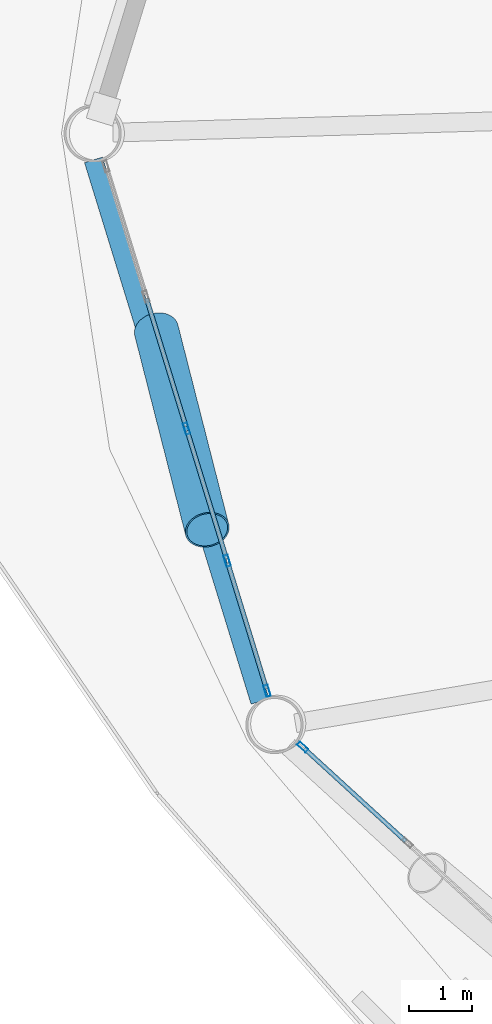
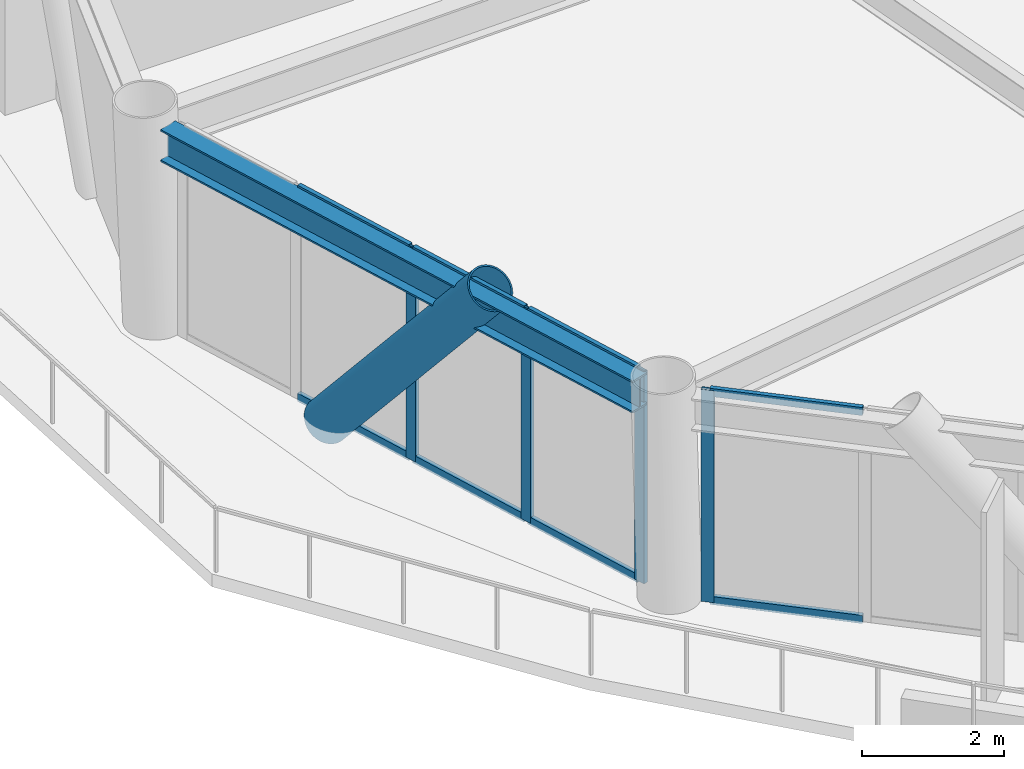
# One storey, part 5 of 24: 13 members, 1 beam, 2 elements without a shape of their own.
"""IFC4 building model written with IfcOpenShell, lengths in metres."""

from ifc_helpers import new_model, si_unit, direction, frame, origin, origin_2d, place, context, subcontext, project, spatial, hollow_rectangle, hollow_circle, i_section, extrude, material, layer, layer_set, material_profile, profile_set, type_object, element, aggregate, save


model = new_model("IFC4")

# Units and contexts
model_context = context("Model", 3, precision=1e-05, world=origin(), true_north=direction((0.0, 1.0)))
body_context = subcontext(model_context, "Body", "Model", "MODEL_VIEW")
ifc_project = project(units=[si_unit("LENGTHUNIT", "METRE"), si_unit("AREAUNIT", "SQUARE_METRE"), si_unit("VOLUMEUNIT", "CUBIC_METRE"), si_unit("PLANEANGLEUNIT", "RADIAN"), si_unit("MASSUNIT", "GRAM", prefix="KILO")], contexts=[model_context])

# Site, building, storey
site_placement = place(None, origin())
site = spatial("IfcSite", under=ifc_project, at=site_placement, CompositionType="ELEMENT")
building_placement = place(site_placement, origin())
building = spatial("IfcBuilding", under=site, at=building_placement, Name="Varnakorn Sky Granary", CompositionType="ELEMENT")
storey_placement = place(building_placement, frame((0.0, 0.0, 43.199951171875)))
storey = spatial("IfcBuildingStorey", under=building, at=storey_placement, Name="L10", CompositionType="ELEMENT", Elevation=43.199951171875)

# Beam
ifc_material_1 = material(Name="Steel S355JR", Category="steel")
ifc_material_profile_1 = material_profile(ifc_material_1, i_section(OverallWidth=0.300048828125, OverallDepth=0.550048828125, WebThickness=0.014892578125, FlangeThickness=0.029052734375, at=origin_2d()), Name="HE 550 B")
ifc_profile_set_1 = profile_set([ifc_material_profile_1], Name="Steel S355JR")
beam_type = type_object("IfcBeamType", Name="BM-SPD-Z1", PredefinedType="SPANDREL", material=ifc_profile_set_1)
beam_placement = place(storey_placement, frame((-22.320068359375, -0.422607421875, 3.364990234375), z_axis=(0.293932510613, -0.95582617625, 0.0), x_axis=(0.95582617625, 0.293932510613, 0.0)))
element("IfcBeam", 1, at=beam_placement, inside=storey, type_object=beam_type, Name="Perimeter Spandrel Ring Beam RB07 L10", PredefinedType="SPANDREL", context=body_context, shape_type="SweptSolid", body=[
    extrude(i_section(OverallWidth=0.300048828125, OverallDepth=0.550048828125, WebThickness=0.014892578125, FlangeThickness=0.029052734375, at=origin_2d()), origin(), (0.0, 0.0, 1.0), 9.062744140625),
])

# Curtain wall, members
ifc_material_2 = material(Name="Anodised Bronze Aluminium Alloy 6063-T6", Category="aluminium")
ifc_layer = layer(ifc_material_2, 0.18994140625, Name="Anodised Bronze Aluminium Alloy 6063-T6")
ifc_layer_set = layer_set([ifc_layer], Name="Anodised Bronze Aluminium Alloy 6063-T6")
curtain_wall_type = type_object("IfcCurtainWallType", Name="CW-FRM-1", PredefinedType="USERDEFINED", material=ifc_layer_set)
curtain_wall_1_placement = place(storey_placement, origin())
curtain_wall_1 = element("IfcCurtainWall", 2, at=curtain_wall_1_placement, inside=storey, type_object=curtain_wall_type, Name="Unitised Curtain Wall CW3 CW-L10-B07", ObjectType="CURTAIN WALL", PredefinedType="USERDEFINED")
ifc_material_profile_2 = material_profile(ifc_material_2, hollow_rectangle(XDim=0.070068359375, YDim=0.18505859375, WallThickness=0.00390625, at=origin_2d()), Name="ALU MULL 70x185")
ifc_profile_set_2 = profile_set([ifc_material_profile_2], Name="Anodised Bronze Aluminium Alloy 6063-T6")
member_type_1 = type_object("IfcMemberType", Name="CW-FRM-1-MULL", PredefinedType="MULLION", material=ifc_profile_set_2)
member_1_placement = place(storey_placement, frame((-19.54296875, -8.914306640625, 0.0), z_axis=(0.0, 0.0, 1.0), x_axis=(-0.955890425836, -0.293723498881, 0.0)))
member_1 = element("IfcMember", 3, at=member_1_placement, type_object=member_type_1, Name="CW3 mullion 1", PredefinedType="MULLION", context=body_context, shape_type="SweptSolid", body=[
    extrude(hollow_rectangle(XDim=0.070068359375, YDim=0.18505859375, WallThickness=0.00390625, at=origin_2d()), origin(), (0.0, 0.0, 1.0), 3.64013671875),
])
member_2_placement = place(storey_placement, frame((-20.181884765625, -6.83447265625, 0.0), z_axis=(0.0, 0.0, 1.0), x_axis=(-0.955890425836, -0.293723498881, 0.0)))
member_2 = element("IfcMember", 4, at=member_2_placement, type_object=member_type_1, Name="CW3 mullion 2", PredefinedType="MULLION", context=body_context, shape_type="SweptSolid", body=[
    extrude(hollow_rectangle(XDim=0.070068359375, YDim=0.18505859375, WallThickness=0.00390625, at=origin_2d()), origin(), (0.0, 0.0, 1.0), 3.64013671875),
])
member_3_placement = place(storey_placement, frame((-20.831298828125, -4.720947265625, 0.0), z_axis=(0.0, 0.0, 1.0), x_axis=(-0.955890425836, -0.293723498881, 0.0)))
member_3 = element("IfcMember", 5, at=member_3_placement, type_object=member_type_1, Name="CW3 mullion 3", PredefinedType="MULLION", context=body_context, shape_type="SweptSolid", body=[
    extrude(hollow_rectangle(XDim=0.070068359375, YDim=0.18505859375, WallThickness=0.00390625, at=origin_2d()), origin(), (0.0, 0.0, 1.0), 3.64013671875),
])

# Curtain wall, member
curtain_wall_2_placement = place(storey_placement, origin())
curtain_wall_2 = element("IfcCurtainWall", 6, at=curtain_wall_2_placement, inside=storey, type_object=curtain_wall_type, Name="Unitised Curtain Wall CW3 CW-L10-B08", ObjectType="CURTAIN WALL", PredefinedType="USERDEFINED")
member_4_placement = place(storey_placement, frame((-18.973388671875, -9.814453125, 0.0), z_axis=(0.0, 0.0, 1.0), x_axis=(-0.674903389306, -0.737906101821, 0.0)))
member_4 = element("IfcMember", 7, at=member_4_placement, type_object=member_type_1, Name="CW3 mullion 5", PredefinedType="MULLION", context=body_context, shape_type="SweptSolid", body=[
    extrude(hollow_rectangle(XDim=0.070068359375, YDim=0.18505859375, WallThickness=0.00390625, at=origin_2d()), origin(), (0.0, 0.0, 1.0), 3.64013671875),
])

# Member
ifc_material_profile_3 = material_profile(ifc_material_2, hollow_rectangle(XDim=0.070068359375, YDim=0.139892578125, WallThickness=0.00341796875, at=origin_2d()), Name="ALU TRAN 70x140")
ifc_profile_set_3 = profile_set([ifc_material_profile_3], Name="Anodised Bronze Aluminium Alloy 6063-T6")
member_type_2 = type_object("IfcMemberType", Name="CW-FRM-1-TRAN", PredefinedType="USERDEFINED", material=ifc_profile_set_3)
member_5_placement = place(storey_placement, frame((-19.55322265625, -8.880859375, 0.03515625), z_axis=(-0.293670325214, 0.955906763282, 0.0), x_axis=(-0.955906763282, -0.293670325214, 0.0)))
member_5 = element("IfcMember", 8, at=member_5_placement, type_object=member_type_2, Name="CW3 transom 1.1", ObjectType="TRANSOM", PredefinedType="USERDEFINED", context=body_context, shape_type="SweptSolid", body=[
    extrude(hollow_rectangle(XDim=0.070068359375, YDim=0.139892578125, WallThickness=0.00341796875, at=origin_2d()), origin(), (0.0, 0.0, 1.0), 2.105712890625),
])

member_6_placement = place(storey_placement, frame((-19.55322265625, -8.880859375, 3.60498046875), z_axis=(-0.293670325214, 0.955906763282, 0.0), x_axis=(-0.955906763282, -0.293670325214, 0.0)))
member_6 = element("IfcMember", 9, at=member_6_placement, type_object=member_type_2, Name="CW3 transom 1.2", ObjectType="TRANSOM", PredefinedType="USERDEFINED", context=body_context, shape_type="SweptSolid", body=[
    extrude(hollow_rectangle(XDim=0.070068359375, YDim=0.139892578125, WallThickness=0.00341796875, at=origin_2d()), origin(), (0.0, 0.0, 1.0), 2.105712890625),
])

member_7_placement = place(storey_placement, frame((-20.1923828125, -6.801025390625, 0.03515625), z_axis=(-0.29362907604, 0.955919434735, 0.0), x_axis=(-0.955919434735, -0.29362907604, 0.0)))
member_7 = element("IfcMember", 10, at=member_7_placement, type_object=member_type_2, Name="CW3 transom 2.1", ObjectType="TRANSOM", PredefinedType="USERDEFINED", context=body_context, shape_type="SweptSolid", body=[
    extrude(hollow_rectangle(XDim=0.070068359375, YDim=0.139892578125, WallThickness=0.00341796875, at=origin_2d()), origin(), (0.0, 0.0, 1.0), 2.14111328125),
])

member_8_placement = place(storey_placement, frame((-20.1923828125, -6.801025390625, 3.60498046875), z_axis=(-0.29362907604, 0.955919434735, 0.0), x_axis=(-0.955919434735, -0.29362907604, 0.0)))
member_8 = element("IfcMember", 11, at=member_8_placement, type_object=member_type_2, Name="CW3 transom 2.2", ObjectType="TRANSOM", PredefinedType="USERDEFINED", context=body_context, shape_type="SweptSolid", body=[
    extrude(hollow_rectangle(XDim=0.070068359375, YDim=0.139892578125, WallThickness=0.00341796875, at=origin_2d()), origin(), (0.0, 0.0, 1.0), 2.14111328125),
])

member_9_placement = place(storey_placement, frame((-20.841796875, -4.6875, 0.03515625), z_axis=(-0.293661086159, 0.955909601624, 0.0), x_axis=(-0.955909601624, -0.293661086159, 0.0)))
member_9 = element("IfcMember", 12, at=member_9_placement, type_object=member_type_2, Name="CW3 transom 3.1", ObjectType="TRANSOM", PredefinedType="USERDEFINED", context=body_context, shape_type="SweptSolid", body=[
    extrude(hollow_rectangle(XDim=0.070068359375, YDim=0.139892578125, WallThickness=0.00341796875, at=origin_2d()), origin(), (0.0, 0.0, 1.0), 2.140869140625),
])

member_10_placement = place(storey_placement, frame((-20.841796875, -4.6875, 3.60498046875), z_axis=(-0.293661086159, 0.955909601624, 0.0), x_axis=(-0.955909601624, -0.293661086159, 0.0)))
member_10 = element("IfcMember", 13, at=member_10_placement, type_object=member_type_2, Name="CW3 transom 3.2", ObjectType="TRANSOM", PredefinedType="USERDEFINED", context=body_context, shape_type="SweptSolid", body=[
    extrude(hollow_rectangle(XDim=0.070068359375, YDim=0.139892578125, WallThickness=0.00341796875, at=origin_2d()), origin(), (0.0, 0.0, 1.0), 2.140869140625),
])

aggregate(curtain_wall_1, [member_1, member_2, member_3, member_5, member_6, member_7, member_8, member_9, member_10])

member_11_placement = place(storey_placement, frame((-17.32666015625, -11.32080078125, 0.03515625), z_axis=(-0.737910208104, 0.674898899671, 0.0), x_axis=(-0.674898899671, -0.737910208104, 0.0)))
member_11 = element("IfcMember", 14, at=member_11_placement, type_object=member_type_2, Name="CW3 transom 4.1", ObjectType="TRANSOM", PredefinedType="USERDEFINED", context=body_context, shape_type="SweptSolid", body=[
    extrude(hollow_rectangle(XDim=0.070068359375, YDim=0.139892578125, WallThickness=0.00341796875, at=origin_2d()), origin(), (0.0, 0.0, 1.0), 2.19677734375),
])

member_12_placement = place(storey_placement, frame((-17.32666015625, -11.32080078125, 3.60498046875), z_axis=(-0.737910208104, 0.674898899671, 0.0), x_axis=(-0.674898899671, -0.737910208104, 0.0)))
member_12 = element("IfcMember", 15, at=member_12_placement, type_object=member_type_2, Name="CW3 transom 4.2", ObjectType="TRANSOM", PredefinedType="USERDEFINED", context=body_context, shape_type="SweptSolid", body=[
    extrude(hollow_rectangle(XDim=0.070068359375, YDim=0.139892578125, WallThickness=0.00341796875, at=origin_2d()), origin(), (0.0, 0.0, 1.0), 2.19677734375),
])

aggregate(curtain_wall_2, [member_4, member_11, member_12])

ifc_material_3 = material(Name="Steel S460M", Category="steel")
ifc_material_profile_4 = material_profile(ifc_material_3, hollow_circle(Radius=0.35546875, WallThickness=0.02490234375, at=origin_2d()), Name="CHS 711x25")
ifc_profile_set_4 = profile_set([ifc_material_profile_4], Name="Steel S460M")
member_type_3 = type_object("IfcMemberType", Name="MB-DIAG-T0", PredefinedType="BRACE", material=ifc_profile_set_4)
member_13_placement = place(storey_placement, frame((-21.31494140625, -3.147216796875, -0.1298828125), z_axis=(0.158985265982, -0.623304262642, 0.765647099761), x_axis=(0.968975905399, 0.247155203779, 0.0)))
element("IfcMember", 16, at=member_13_placement, inside=storey, type_object=member_type_3, Name="Perimeter CHS Diagrid Brace DG07 L10", PredefinedType="BRACE", context=body_context, shape_type="SweptSolid", body=[
    extrude(hollow_circle(Radius=0.35546875, WallThickness=0.02490234375, at=origin_2d()), origin(), (0.0, 0.0, 1.0), 5.11962890625),
])

save(model, "model.ifc")
